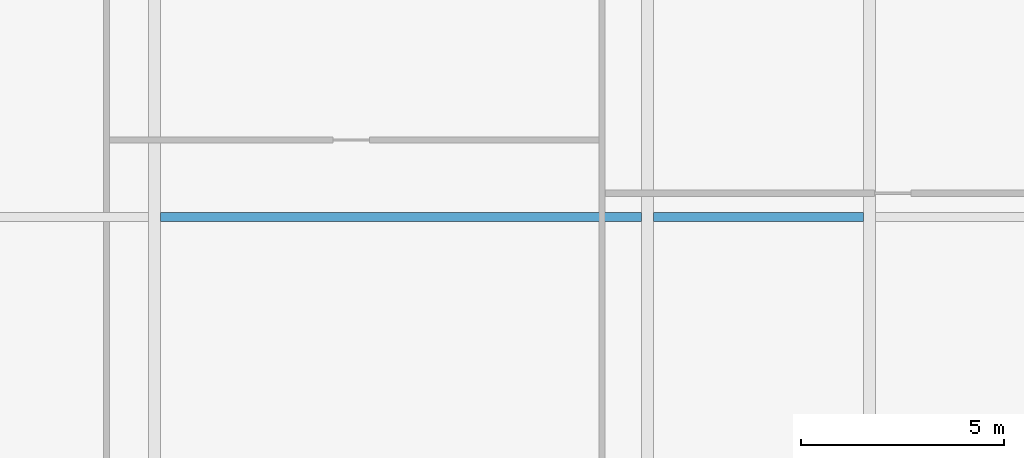
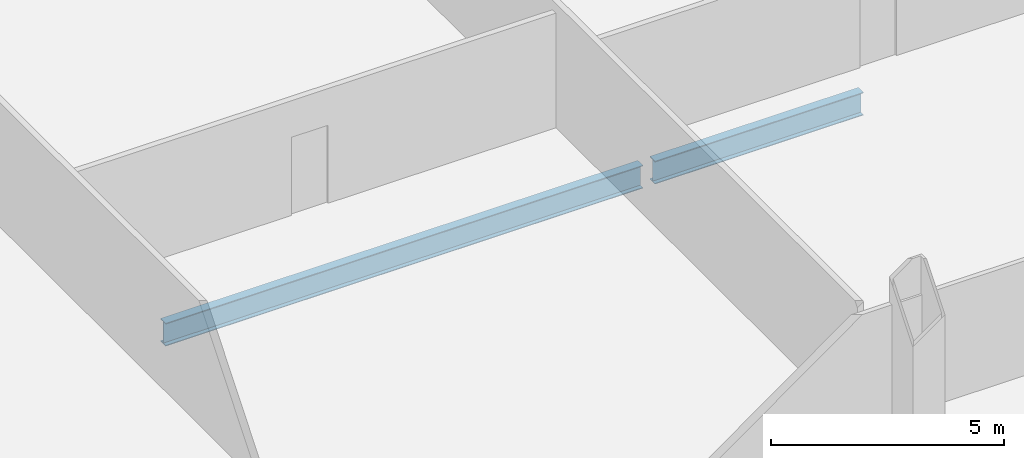
# One storey, part 13 of 35: 2 beams.
"""IFC4 building model written with IfcOpenShell, lengths in metres."""

from ifc_helpers import new_model, si_unit, direction, frame, origin, origin_2d, place, context, subcontext, project, spatial, i_section, extrude, material, material_profile, profile_set, type_object, element, save


model = new_model("IFC4")

# Units and contexts
model_context = context("Model", 3, precision=1e-05, world=origin(), true_north=direction((0.0, 1.0)))
body_context = subcontext(model_context, "Body", "Model", "MODEL_VIEW")
ifc_project = project(units=[si_unit("LENGTHUNIT", "METRE"), si_unit("AREAUNIT", "SQUARE_METRE"), si_unit("VOLUMEUNIT", "CUBIC_METRE"), si_unit("PLANEANGLEUNIT", "RADIAN"), si_unit("MASSUNIT", "GRAM", prefix="KILO")], contexts=[model_context])

# Site, building, storey
site_placement = place(None, origin())
site = spatial("IfcSite", under=ifc_project, at=site_placement, CompositionType="ELEMENT")
building_placement = place(site_placement, origin())
building = spatial("IfcBuilding", under=site, at=building_placement, Name="Khoronbel Lancet Exchange", CompositionType="ELEMENT")
storey_placement = place(building_placement, frame((0.0, 0.0, 69.800048828125)))
storey = spatial("IfcBuildingStorey", under=building, at=storey_placement, Name="L16", CompositionType="ELEMENT", Elevation=69.800048828125)

# Beams
ifc_material = material(Name="Steel S355", Category="steel")
ifc_material_profile = material_profile(ifc_material, i_section(OverallWidth=0.219970703125, OverallDepth=0.60009765625, WebThickness=0.011962890625, FlangeThickness=0.01904296875, at=origin_2d()), Name="IPE 600")
ifc_profile_set = profile_set([ifc_material_profile], Name="Steel S355")
beam_type = type_object("IfcBeamType", Name="BM-BJ1", PredefinedType="JOIST", material=ifc_profile_set)
beam_1_placement = place(storey_placement, frame((30.52490234375, 21.800048828125, -0.47998046875), z_axis=(1.0, 0.0, 0.0), x_axis=(0.0, 1.0, 0.0)))
element("IfcBeam", 1, at=beam_1_placement, inside=storey, type_object=beam_type, Name="Level L16 secondary composite joist J08", PredefinedType="JOIST", context=body_context, shape_type="SweptSolid", body=[
    extrude(i_section(OverallWidth=0.219970703125, OverallDepth=0.60009765625, WebThickness=0.011962890625, FlangeThickness=0.01904296875, at=origin_2d()), origin(), (0.0, 0.0, 1.0), 11.85009765625),
])
beam_2_placement = place(storey_placement, frame((42.675048828125, 21.800048828125, -0.47998046875), z_axis=(1.0, 0.0, 0.0), x_axis=(0.0, 1.0, 0.0)))
element("IfcBeam", 2, at=beam_2_placement, inside=storey, type_object=beam_type, Name="Level L16 secondary composite joist J09", PredefinedType="JOIST", context=body_context, shape_type="SweptSolid", body=[
    extrude(i_section(OverallWidth=0.219970703125, OverallDepth=0.60009765625, WebThickness=0.011962890625, FlangeThickness=0.01904296875, at=origin_2d()), origin(), (0.0, 0.0, 1.0), 5.175048828125),
])

save(model, "model.ifc")
